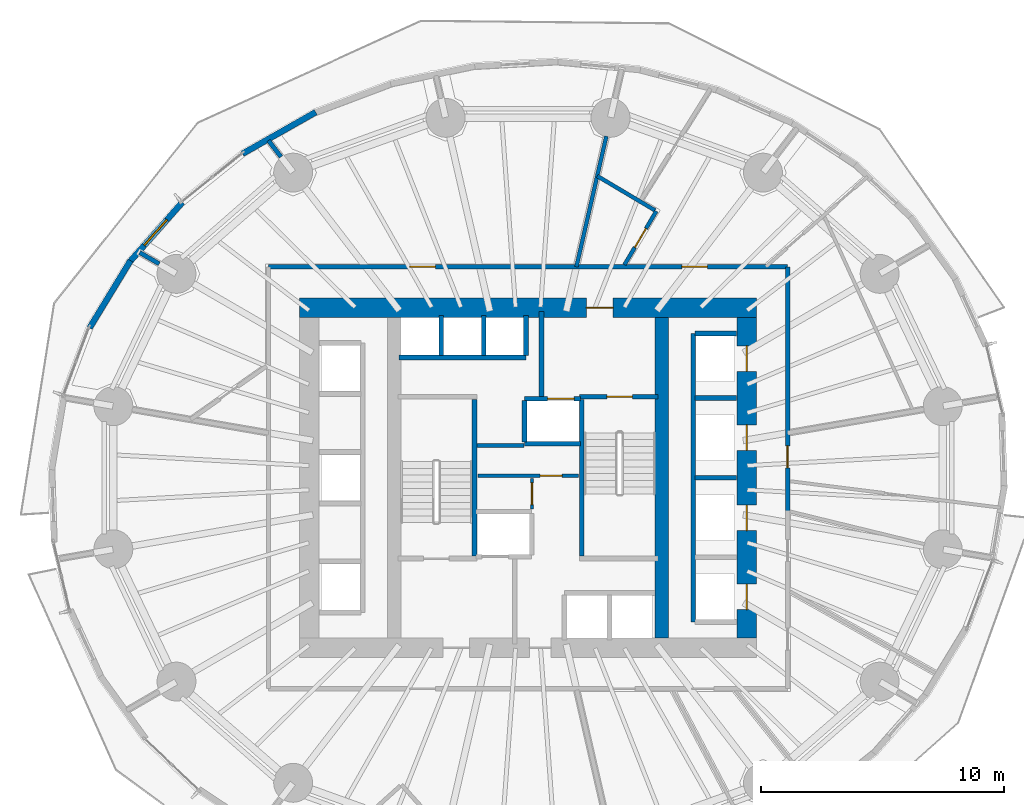
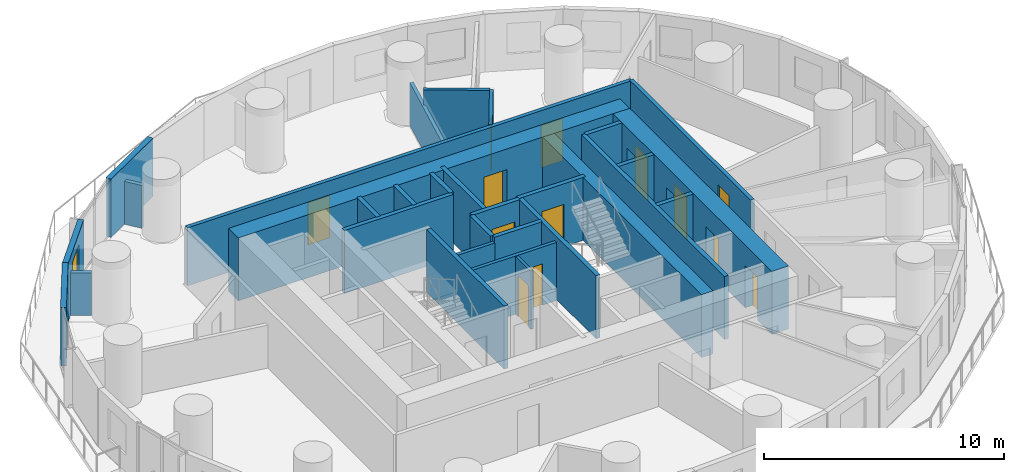
# One storey, part 8 of 14: 31 walls, 13 doors, 1 window, 14 openings.
"""IFC4 building model written with IfcOpenShell, lengths in metres."""

from ifc_helpers import new_model, si_unit, direction, frame, frame_2d, origin, place, context, subcontext, project, spatial, rectangle, extrude, material, layer, layer_set, type_object, element, fill, save


model = new_model("IFC4")

# Units and contexts
model_context = context("Model", 3, precision=1e-05, world=origin(), true_north=direction((0.0, 1.0)))
body_context = subcontext(model_context, "Body", "Model", "MODEL_VIEW")
ifc_project = project(units=[si_unit("LENGTHUNIT", "METRE"), si_unit("AREAUNIT", "SQUARE_METRE"), si_unit("VOLUMEUNIT", "CUBIC_METRE"), si_unit("PLANEANGLEUNIT", "RADIAN"), si_unit("MASSUNIT", "GRAM", prefix="KILO")], contexts=[model_context])

# Site, building, storey
site_placement = place(None, origin())
site = spatial("IfcSite", under=ifc_project, at=site_placement, CompositionType="ELEMENT")
building_placement = place(site_placement, origin())
building = spatial("IfcBuilding", under=site, at=building_placement, Name="Veldorim Arch Residences", CompositionType="ELEMENT")
storey_placement = place(building_placement, frame((0.0, 0.0, 34.39990234375)))
storey = spatial("IfcBuildingStorey", under=building, at=storey_placement, Name="L09", CompositionType="ELEMENT", Elevation=34.39990234375)

# Wall, opening, door
ifc_material_1 = material(Name="Acoustic Gypsum Board", Category="gypsum")
ifc_layer_1 = layer(ifc_material_1, 0.125, Name="Acoustic Stud Room Partition Wall 125")
ifc_layer_set_1 = layer_set([ifc_layer_1], Name="Acoustic Gypsum Board")
wall_type_1 = type_object("IfcWallType", Name="Acoustic Stud Room Partition Wall 125", PredefinedType="PARTITIONING", material=ifc_layer_set_1)
wall_1_placement = place(storey_placement, frame((32.159912109375, 22.719970703125, 0.0), z_axis=(0.0, 0.0, 1.0), x_axis=(0.0, 1.0, 0.0)))
wall_1 = element("IfcWall", 1, at=wall_1_placement, inside=storey, type_object=wall_type_1, Name="L09 interior wall WL-CA-L09-2", PredefinedType="PARTITIONING", context=body_context, shape_type="SweptSolid", body=[
    extrude(rectangle(XDim=1.25, YDim=0.125, at=frame_2d((0.625, 0.0))), origin(), (0.0, 0.0, 1.0), 2.955078125),
])
opening_1_placement = place(wall_1_placement, frame((0.169921875, 0.0, 0.0)))
opening_1 = element("IfcOpeningElement", 2, at=opening_1_placement, cuts=wall_1, Name="Opening DR-SVC", PredefinedType="OPENING", context=body_context, shape_type="SweptSolid", body=[
    extrude(rectangle(XDim=0.89990234375, YDim=2.10009765625, at=frame_2d((0.449951171875, 1.050048828125))), frame((0.0, 0.072509765625, 0.0), z_axis=(0.0, -1.0, 0.0), x_axis=(1.0, 0.0, 0.0)), (0.0, 0.0, 1.0), 0.14501953125),
])
ifc_material_2 = material(Name="Fire-Rated Steel", Category="steel")
door_type_1 = type_object("IfcDoorType", Name="Riser, Shelter & Plant Room Rated Steel Door 900x2100", OperationType="SINGLE_SWING_LEFT", PredefinedType="DOOR", material=ifc_material_2)
door_1_placement = place(opening_1_placement, origin())
door_1 = element("IfcDoor", 3, at=door_1_placement, inside=storey, type_object=door_type_1, Name="L09 interior door DR-L09-CA2", OperationType="SINGLE_SWING_RIGHT", OverallHeight=2.10009765625, OverallWidth=0.89990234375, PredefinedType="DOOR", context=body_context, shape_type="SweptSolid", body=[
    extrude(rectangle(XDim=0.89990234375, YDim=2.10009765625, at=frame_2d((0.449951171875, 1.050048828125))), frame((0.0, 0.02490234375, 0.0), z_axis=(0.0, -1.0, 0.0), x_axis=(1.0, 0.0, 0.0)), (0.0, 0.0, 1.0), 0.050048828125),
])
fill(opening_1, door_1)

# Walls
ifc_material_3 = material(Name="Lightweight Masonry Block & Gypsum", Category="masonry")
ifc_layer_2 = layer(ifc_material_3, 0.179931640625, Name="Compartment & Corridor Fire-Rated Party Wall 180")
ifc_layer_set_2 = layer_set([ifc_layer_2], Name="Lightweight Masonry Block & Gypsum")
wall_type_2 = type_object("IfcWallType", Name="Compartment & Corridor Fire-Rated Party Wall 180", PredefinedType="PARTITIONING", material=ifc_layer_set_2)
wall_2_placement = place(storey_placement, frame((21.832763671875, 37.204833984375, 0.0), z_axis=(0.0, 0.0, 1.0), x_axis=(-0.609822176225, 0.792538272504, 0.0)))
element("IfcWall", 4, at=wall_2_placement, inside=storey, type_object=wall_type_2, Name="L09 interior wall WL-PIER-L09-06", PredefinedType="PARTITIONING", context=body_context, shape_type="SweptSolid", body=[
    extrude(rectangle(XDim=0.84716796875, YDim=0.179931640625, at=frame_2d((0.423583984375, 0.0))), origin(), (0.0, 0.0, 1.0), 2.17822265625),
])
wall_3_placement = place(storey_placement, frame((16.822998046875, 32.80029296875, 0.0), z_axis=(0.0, 0.0, 1.0), x_axis=(-0.864965183009, 0.501831876411, 0.0)))
element("IfcWall", 5, at=wall_3_placement, inside=storey, type_object=wall_type_2, Name="L09 interior wall WL-PIER-L09-07", PredefinedType="PARTITIONING", context=body_context, shape_type="SweptSolid", body=[
    extrude(rectangle(XDim=0.93115234375, YDim=0.179931640625, at=frame_2d((0.465576171875, 0.0))), origin(), (0.0, 0.0, 1.0), 2.17822265625),
])

# Wall, opening, door
wall_4_placement = place(storey_placement, frame((42.679931640625, 32.679931640625, 0.0), z_axis=(0.0, 0.0, 1.0), x_axis=(0.0, -1.0, 0.0)))
wall_4 = element("IfcWall", 6, at=wall_4_placement, inside=storey, type_object=wall_type_2, Name="L09 interior wall WL-RES-L09-001", PredefinedType="PARTITIONING", context=body_context, shape_type="SweptSolid", body=[
    extrude(rectangle(XDim=10.06494140625, YDim=0.179931640625, at=frame_2d((5.032470703125, 0.0))), origin(), (0.0, 0.0, 1.0), 2.955078125),
])
opening_2_placement = place(wall_4_placement, frame((7.3740234375, 0.0, 0.0)))
opening_2 = element("IfcOpeningElement", 7, at=opening_2_placement, cuts=wall_4, Name="Opening DR-SVC", PredefinedType="OPENING", context=body_context, shape_type="SweptSolid", body=[
    extrude(rectangle(XDim=0.89990234375, YDim=2.10009765625, at=frame_2d((0.449951171875, 1.050048828125))), frame((0.0, 0.099853515625, 0.0), z_axis=(0.0, -1.0, 0.0), x_axis=(1.0, 0.0, 0.0)), (0.0, 0.0, 1.0), 0.199951171875),
])
door_2_placement = place(opening_2_placement, origin())
door_2 = element("IfcDoor", 8, at=door_2_placement, inside=storey, type_object=door_type_1, Name="L09 interior door DR-RES-L09-001", OperationType="SINGLE_SWING_LEFT", OverallHeight=2.10009765625, OverallWidth=0.89990234375, PredefinedType="DOOR", context=body_context, shape_type="SweptSolid", body=[
    extrude(rectangle(XDim=0.89990234375, YDim=2.10009765625, at=frame_2d((0.449951171875, 1.050048828125))), frame((0.0, 0.02490234375, 0.0), z_axis=(0.0, -1.0, 0.0), x_axis=(1.0, 0.0, 0.0)), (0.0, 0.0, 1.0), 0.050048828125),
])
fill(opening_2, door_2)

# Wall, openings, doors
wall_5_placement = place(storey_placement, frame((21.320068359375, 32.679931640625, 0.0), z_axis=(0.0, 0.0, 1.0), x_axis=(1.0, 0.0, 0.0)))
wall_5 = element("IfcWall", 9, at=wall_5_placement, inside=storey, type_object=wall_type_2, Name="L09 interior wall WL-RES-L09-004", PredefinedType="PARTITIONING", context=body_context, shape_type="SweptSolid", body=[
    extrude(rectangle(XDim=21.35986328125, YDim=0.179931640625, at=frame_2d((10.679931640625, 0.0))), origin(), (0.0, 0.0, 1.0), 2.955078125),
])
opening_3_placement = place(wall_5_placement, frame((17.013427734375, 0.0, 0.0)))
opening_3 = element("IfcOpeningElement", 10, at=opening_3_placement, cuts=wall_5, Name="Opening DR-FLT", PredefinedType="OPENING", context=body_context, shape_type="SweptSolid", body=[
    extrude(rectangle(XDim=1.050048828125, YDim=2.14990234375, at=frame_2d((0.52490234375, 1.074951171875))), frame((0.0, 0.099853515625, 0.0), z_axis=(0.0, -1.0, 0.0), x_axis=(1.0, 0.0, 0.0)), (0.0, 0.0, 1.0), 0.199951171875),
])
opening_4_placement = place(wall_5_placement, frame((5.820068359375, 0.0, 0.0)))
opening_4 = element("IfcOpeningElement", 11, at=opening_4_placement, cuts=wall_5, Name="Opening DR-FLT", PredefinedType="OPENING", context=body_context, shape_type="SweptSolid", body=[
    extrude(rectangle(XDim=1.050048828125, YDim=2.14990234375, at=frame_2d((0.52490234375, 1.074951171875))), frame((0.0, 0.099853515625, 0.0), z_axis=(0.0, -1.0, 0.0), x_axis=(1.0, 0.0, 0.0)), (0.0, 0.0, 1.0), 0.199951171875),
])
ifc_material_4 = material(Name="Fire-Rated Timber", Category="wood")
door_type_2 = type_object("IfcDoorType", Name="Apartment Entrance Solid-Core Fire Door 1050x2150", OperationType="SINGLE_SWING_LEFT", PredefinedType="DOOR", material=ifc_material_4)
door_3_placement = place(opening_3_placement, origin())
door_3 = element("IfcDoor", 12, at=door_3_placement, inside=storey, type_object=door_type_2, Name="L09 interior door DR-RES-L09-007", OperationType="SINGLE_SWING_LEFT", OverallHeight=2.14990234375, OverallWidth=1.050048828125, PredefinedType="DOOR", context=body_context, shape_type="SweptSolid", body=[
    extrude(rectangle(XDim=1.050048828125, YDim=2.14990234375, at=frame_2d((0.52490234375, 1.074951171875))), frame((0.0, 0.02490234375, 0.0), z_axis=(0.0, -1.0, 0.0), x_axis=(1.0, 0.0, 0.0)), (0.0, 0.0, 1.0), 0.050048828125),
])
fill(opening_3, door_3)
door_4_placement = place(opening_4_placement, origin())
door_4 = element("IfcDoor", 13, at=door_4_placement, inside=storey, type_object=door_type_2, Name="L09 interior door DR-RES-L09-012", OperationType="SINGLE_SWING_RIGHT", OverallHeight=2.14990234375, OverallWidth=1.050048828125, PredefinedType="DOOR", context=body_context, shape_type="SweptSolid", body=[
    extrude(rectangle(XDim=1.050048828125, YDim=2.14990234375, at=frame_2d((0.52490234375, 1.074951171875))), frame((0.0, 0.02490234375, 0.0), z_axis=(0.0, -1.0, 0.0), x_axis=(1.0, 0.0, 0.0)), (0.0, 0.0, 1.0), 0.050048828125),
])
fill(opening_4, door_4)

# Walls
ifc_material_5 = material(Name="Concrete C50/60", Category="concrete")
ifc_layer_3 = layer(ifc_material_5, 0.199951171875, Name="Core Stair & Lift Shaft Enclosure Wall 200")
ifc_layer_set_3 = layer_set([ifc_layer_3], Name="Concrete C50/60")
wall_type_3 = type_object("IfcWallType", Name="Core Stair & Lift Shaft Enclosure Wall 200", PredefinedType="SHEAR", material=ifc_layer_set_3)
for number, where, z_axis, x_axis, name in (
    (14, (29.7900390625, 20.780029296875, 0.0), (0.0, 0.0, 1.0), (0.0, 1.0, 0.0), "L09 shaft wall WL-SHF-L09-ST1-E"),
    (15, (34.2099609375, 20.780029296875, 0.0), (0.0, 0.0, 1.0), (0.0, 1.0, 0.0), "L09 shaft wall WL-SHF-L09-ST2-W"),
):
    element("IfcWall", number, at=place(storey_placement, frame(where, z_axis=z_axis, x_axis=x_axis)), inside=storey, type_object=wall_type_3, Name=name, PredefinedType="SHEAR", context=body_context, shape_type="SweptSolid", body=[
        extrude(rectangle(XDim=6.43994140625, YDim=0.199951171875, at=frame_2d((3.219970703125, 0.0))), origin(), (0.0, 0.0, 1.0), 3.2001953125),
    ])

# Wall, opening, door
wall_6_placement = place(storey_placement, frame((34.110107421875, 27.330078125, 0.0), z_axis=(0.0, 0.0, 1.0), x_axis=(1.0, 0.0, 0.0)))
wall_6 = element("IfcWall", 16, at=wall_6_placement, inside=storey, type_object=wall_type_3, Name="L09 shaft wall WL-SHF-L09-ST2-N", PredefinedType="SHEAR", context=body_context, shape_type="SweptSolid", body=[
    extrude(rectangle(XDim=3.239990234375, YDim=0.199951171875, at=frame_2d((1.6201171875, 0.0))), origin(), (0.0, 0.0, 1.0), 3.2001953125),
])
opening_5_placement = place(wall_6_placement, frame((1.135009765625, 0.0, 0.0)))
opening_5 = element("IfcOpeningElement", 17, at=opening_5_placement, cuts=wall_6, Name="Opening DR-ST", PredefinedType="OPENING", context=body_context, shape_type="SweptSolid", body=[
    extrude(rectangle(XDim=1.050048828125, YDim=2.14990234375, at=frame_2d((0.52490234375, 1.074951171875))), frame((0.0, 0.10986328125, 0.0), z_axis=(0.0, -1.0, 0.0), x_axis=(1.0, 0.0, 0.0)), (0.0, 0.0, 1.0), 0.219970703125),
])
ifc_material_6 = material(Name="Fire-Rated Steel", Category="steel")
door_type_3 = type_object("IfcDoorType", Name="Exit Staircase Self-Closing Fire Door 1050x2150", OperationType="SINGLE_SWING_LEFT", PredefinedType="DOOR", material=ifc_material_6)
door_5_placement = place(opening_5_placement, origin())
door_5 = element("IfcDoor", 18, at=door_5_placement, inside=storey, type_object=door_type_3, Name="L09 interior door DR-L09-ST2", OperationType="SINGLE_SWING_RIGHT", OverallHeight=2.14990234375, OverallWidth=1.050048828125, PredefinedType="DOOR", context=body_context, shape_type="SweptSolid", body=[
    extrude(rectangle(XDim=1.050048828125, YDim=2.14990234375, at=frame_2d((0.52490234375, 1.074951171875))), frame((0.0, 0.02490234375, 0.0), z_axis=(0.0, -1.0, 0.0), x_axis=(1.0, 0.0, 0.0)), (0.0, 0.0, 1.0), 0.050048828125),
])
fill(opening_5, door_5)

# Wall
wall_7_placement = place(storey_placement, frame((32.550048828125, 27.35009765625, 0.0), z_axis=(0.0, 0.0, 1.0), x_axis=(0.0, 1.0, 0.0)))
element("IfcWall", 19, at=wall_7_placement, inside=storey, type_object=wall_type_3, Name="L09 shaft wall WL-FFL2-L09-W", PredefinedType="SHEAR", context=body_context, shape_type="SweptSolid", body=[
    extrude(rectangle(XDim=3.5, YDim=0.199951171875, at=frame_2d((1.75, 0.0))), origin(), (0.0, 0.0, 1.0), 3.2001953125),
])

# Wall, opening, door
wall_8_placement = place(storey_placement, frame((31.85009765625, 27.25, 0.0), z_axis=(0.0, 0.0, 1.0), x_axis=(1.0, 0.0, 0.0)))
wall_8 = element("IfcWall", 20, at=wall_8_placement, inside=storey, type_object=wall_type_3, Name="L09 shaft wall WL-FL02-L09-N", PredefinedType="SHEAR", context=body_context, shape_type="SweptSolid", body=[
    extrude(rectangle(XDim=2.2998046875, YDim=0.199951171875, at=frame_2d((1.14990234375, 0.0))), origin(), (0.0, 0.0, 1.0), 3.2001953125),
])
opening_6_placement = place(wall_8_placement, frame((0.949951171875, 0.0, 0.0)))
opening_6 = element("IfcOpeningElement", 21, at=opening_6_placement, cuts=wall_8, Name="Opening LD-FF", PredefinedType="OPENING", context=body_context, shape_type="SweptSolid", body=[
    extrude(rectangle(XDim=1.10009765625, YDim=2.14990234375, at=frame_2d((0.550048828125, 1.074951171875))), frame((0.0, 0.10986328125, 0.0), z_axis=(0.0, -1.0, 0.0), x_axis=(1.0, 0.0, 0.0)), (0.0, 0.0, 1.0), 0.219970703125),
])
ifc_material_7 = material(Name="Stainless Steel", Category="steel")
door_type_4 = type_object("IfcDoorType", Name="Firefighting Lift Bi-Parting Sliding Landing Door 1100x2150", OperationType="DOUBLE_DOOR_SLIDING", PredefinedType="DOOR", material=ifc_material_7)
door_6_placement = place(opening_6_placement, origin())
door_6 = element("IfcDoor", 22, at=door_6_placement, inside=storey, type_object=door_type_4, Name="L09 lift landing door LD-L09-FL02", OperationType="DOUBLE_DOOR_SLIDING", OverallHeight=2.14990234375, OverallWidth=1.10009765625, PredefinedType="DOOR", context=body_context, shape_type="SweptSolid", body=[
    extrude(rectangle(XDim=1.10009765625, YDim=2.14990234375, at=frame_2d((0.550048828125, 1.074951171875))), frame((0.0, 0.02490234375, 0.0), z_axis=(0.0, -1.0, 0.0), x_axis=(1.0, 0.0, 0.0)), (0.0, 0.0, 1.0), 0.050048828125),
])
fill(opening_6, door_6)

# Walls
wall_9_placement = place(storey_placement, frame((31.85009765625, 25.39990234375, 0.0), z_axis=(0.0, 0.0, 1.0), x_axis=(1.0, 0.0, 0.0)))
element("IfcWall", 23, at=wall_9_placement, inside=storey, type_object=wall_type_3, Name="L09 shaft wall WL-FL02-L09-S", PredefinedType="SHEAR", context=body_context, shape_type="SweptSolid", body=[
    extrude(rectangle(XDim=2.2998046875, YDim=0.199951171875, at=frame_2d((1.14990234375, 0.0))), origin(), (0.0, 0.0, 1.0), 3.2001953125),
])
wall_10_placement = place(storey_placement, frame((31.85009765625, 25.469970703125, 0.0), z_axis=(0.0, 0.0, 1.0), x_axis=(0.0, 1.0, 0.0)))
element("IfcWall", 24, at=wall_10_placement, inside=storey, type_object=wall_type_3, Name="L09 shaft wall WL-FL02-L09-W", PredefinedType="SHEAR", context=body_context, shape_type="SweptSolid", body=[
    extrude(rectangle(XDim=1.7099609375, YDim=0.199951171875, at=frame_2d((0.85498046875, 0.0))), origin(), (0.0, 0.0, 1.0), 3.2001953125),
])
wall_11_placement = place(storey_placement, frame((38.800048828125, 18.06005859375, 0.0), z_axis=(0.0, 0.0, 1.0), x_axis=(0.0, 1.0, 0.0)))
element("IfcWall", 25, at=wall_11_placement, inside=storey, type_object=wall_type_3, Name="L09 shaft wall WL-B1-L09-W", PredefinedType="SHEAR", context=body_context, shape_type="SweptSolid", body=[
    extrude(rectangle(XDim=11.8798828125, YDim=0.199951171875, at=frame_2d((5.93994140625, 0.0))), origin(), (0.0, 0.0, 1.0), 3.2001953125),
])
for number, where, z_axis, x_axis, name in (
    (26, (38.8701171875, 29.93994140625, 0.0), (0.0, 0.0, 1.0), (1.0, 0.0, 0.0), "L09 shaft wall WL-B1-L09-N"),
    (27, (38.8701171875, 24.0, 0.0), (0.0, 0.0, 1.0), (1.0, 0.0, 0.0), "L09 shaft wall WL-B1-L09-D2"),
    (28, (38.8701171875, 27.27490234375, 0.0), (0.0, 0.0, 1.0), (1.0, 0.0, 0.0), "L09 shaft wall WL-B1-L09-D3"),
):
    element("IfcWall", number, at=place(storey_placement, frame(where, z_axis=z_axis, x_axis=x_axis)), inside=storey, type_object=wall_type_3, Name=name, PredefinedType="SHEAR", context=body_context, shape_type="SweptSolid", body=[
        extrude(rectangle(XDim=1.7099609375, YDim=0.199951171875, at=frame_2d((0.85498046875, 0.0))), origin(), (0.0, 0.0, 1.0), 3.2001953125),
    ])
wall_12_placement = place(storey_placement, frame((26.679931640625, 28.949951171875, 0.0), z_axis=(0.0, 0.0, 1.0), x_axis=(1.0, 0.0, 0.0)))
element("IfcWall", 29, at=wall_12_placement, inside=storey, type_object=wall_type_3, Name="L09 shaft wall WL-B3-L09-S", PredefinedType="SHEAR", context=body_context, shape_type="SweptSolid", body=[
    extrude(rectangle(XDim=5.239990234375, YDim=0.199951171875, at=frame_2d((2.6201171875, 0.0))), origin(), (0.0, 0.0, 1.0), 3.2001953125),
])
for number, where, z_axis, x_axis, name in (
    (30, (31.919921875, 29.02001953125, 0.0), (0.0, 0.0, 1.0), (0.0, 1.0, 0.0), "L09 shaft wall WL-B3-L09-E"),
    (31, (28.425048828125, 29.02001953125, 0.0), (0.0, 0.0, 1.0), (0.0, 1.0, 0.0), "L09 shaft wall WL-B3-L09-D1"),
    (32, (30.175048828125, 29.02001953125, 0.0), (0.0, 0.0, 1.0), (0.0, 1.0, 0.0), "L09 shaft wall WL-B3-L09-D2"),
):
    element("IfcWall", number, at=place(storey_placement, frame(where, z_axis=z_axis, x_axis=x_axis)), inside=storey, type_object=wall_type_3, Name=name, PredefinedType="SHEAR", context=body_context, shape_type="SweptSolid", body=[
        extrude(rectangle(XDim=1.659912109375, YDim=0.199951171875, at=frame_2d((0.830078125, 0.0))), origin(), (0.0, 0.0, 1.0), 3.2001953125),
    ])
ifc_material_8 = material(Name="Concrete C60/75", Category="concrete")
ifc_layer_4 = layer(ifc_material_8, 0.56005859375, Name="Internal Core Shear Web Wall 560")
ifc_layer_set_4 = layer_set([ifc_layer_4], Name="Concrete C60/75")
wall_type_4 = type_object("IfcWallType", Name="Internal Core Shear Web Wall 560", PredefinedType="SHEAR", material=ifc_layer_set_4)
wall_13_placement = place(storey_placement, frame((37.5, 17.39990234375, 0.0), z_axis=(0.0, 0.0, 1.0), x_axis=(0.0, 1.0, 0.0)))
element("IfcWall", 33, at=wall_13_placement, inside=storey, type_object=wall_type_4, Name="L09 core east internal shear web", PredefinedType="SHEAR", context=body_context, shape_type="SweptSolid", body=[
    extrude(rectangle(XDim=13.2001953125, YDim=0.56005859375, at=frame_2d((6.60009765625, 0.0))), origin(), (0.0, 0.0, 1.0), 3.2001953125),
])

# Wall, opening, door
ifc_material_9 = material(Name="Concrete C60/75", Category="concrete")
ifc_layer_5 = layer(ifc_material_9, 0.800048828125, Name="Lower Central Core Shear Wall 800")
ifc_layer_set_5 = layer_set([ifc_layer_5], Name="Concrete C60/75")
wall_type_5 = type_object("IfcWallType", Name="Lower Central Core Shear Wall 800", PredefinedType="SHEAR", material=ifc_layer_set_5)
wall_14_placement = place(storey_placement, frame((22.60009765625, 31.0, 0.0), z_axis=(0.0, 0.0, 1.0), x_axis=(1.0, 0.0, 0.0)))
wall_14 = element("IfcWall", 34, at=wall_14_placement, inside=storey, type_object=wall_type_5, Name="L09 central core north shear wall", PredefinedType="SHEAR", context=body_context, shape_type="SweptSolid", body=[
    extrude(rectangle(XDim=18.7998046875, YDim=0.800048828125, at=frame_2d((9.39990234375, 0.0))), origin(), (0.0, 0.0, 1.0), 3.2001953125),
])
opening_7_placement = place(wall_14_placement, frame((11.800048828125, 0.0, 0.0)))
opening_7 = element("IfcOpeningElement", 35, at=opening_7_placement, cuts=wall_14, Name="Opening DR-FFL", PredefinedType="OPENING", context=body_context, shape_type="SweptSolid", body=[
    extrude(rectangle(XDim=1.10009765625, YDim=2.14990234375, at=frame_2d((0.550048828125, 1.074951171875))), frame((0.0, 0.409912109375, 0.0), z_axis=(0.0, -1.0, 0.0), x_axis=(1.0, 0.0, 0.0)), (0.0, 0.0, 1.0), 0.820068359375),
])
ifc_material_10 = material(Name="Fire-Rated Steel & Vision Glass", Category="steel")
door_type_5 = type_object("IfcDoorType", Name="Firefighting Lobby Smoke-Stop Fire Door 1100x2150", OperationType="SINGLE_SWING_LEFT", PredefinedType="DOOR", material=ifc_material_10)
door_7_placement = place(opening_7_placement, origin())
door_7 = element("IfcDoor", 36, at=door_7_placement, inside=storey, type_object=door_type_5, Name="L09 interior door DR-L09-FFL2", OperationType="SINGLE_SWING_LEFT", OverallHeight=2.14990234375, OverallWidth=1.10009765625, PredefinedType="DOOR", context=body_context, shape_type="SweptSolid", body=[
    extrude(rectangle(XDim=1.10009765625, YDim=2.14990234375, at=frame_2d((0.550048828125, 1.074951171875))), frame((0.0, 0.02490234375, 0.0), z_axis=(0.0, -1.0, 0.0), x_axis=(1.0, 0.0, 0.0)), (0.0, 0.0, 1.0), 0.050048828125),
])
fill(opening_7, door_7)

# Wall, openings, doors
wall_15_placement = place(storey_placement, frame((41.0, 17.39990234375, 0.0), z_axis=(0.0, 0.0, 1.0), x_axis=(0.0, 1.0, 0.0)))
wall_15 = element("IfcWall", 37, at=wall_15_placement, inside=storey, type_object=wall_type_5, Name="L09 central core east shear wall", PredefinedType="SHEAR", context=body_context, shape_type="SweptSolid", body=[
    extrude(rectangle(XDim=13.2001953125, YDim=0.800048828125, at=frame_2d((6.60009765625, 0.0))), origin(), (0.0, 0.0, 1.0), 3.2001953125),
])
opening_8_placement = place(wall_15_placement, frame((1.175048828125, 0.0, 0.0)))
opening_8 = element("IfcOpeningElement", 38, at=opening_8_placement, cuts=wall_15, Name="Opening LD-PS", PredefinedType="OPENING", context=body_context, shape_type="SweptSolid", body=[
    extrude(rectangle(XDim=1.050048828125, YDim=2.14990234375, at=frame_2d((0.52490234375, 1.074951171875))), frame((0.0, 0.409912109375, 0.0), z_axis=(0.0, -1.0, 0.0), x_axis=(1.0, 0.0, 0.0)), (0.0, 0.0, 1.0), 0.820068359375),
])
opening_9_placement = place(wall_15_placement, frame((4.425048828125, 0.0, 0.0)))
opening_9 = element("IfcOpeningElement", 39, at=opening_9_placement, cuts=wall_15, Name="Opening LD-PS", PredefinedType="OPENING", context=body_context, shape_type="SweptSolid", body=[
    extrude(rectangle(XDim=1.050048828125, YDim=2.14990234375, at=frame_2d((0.52490234375, 1.074951171875))), frame((0.0, 0.409912109375, 0.0), z_axis=(0.0, -1.0, 0.0), x_axis=(1.0, 0.0, 0.0)), (0.0, 0.0, 1.0), 0.820068359375),
])
opening_10_placement = place(wall_15_placement, frame((7.72509765625, 0.0, 0.0)))
opening_10 = element("IfcOpeningElement", 40, at=opening_10_placement, cuts=wall_15, Name="Opening LD-PS", PredefinedType="OPENING", context=body_context, shape_type="SweptSolid", body=[
    extrude(rectangle(XDim=1.050048828125, YDim=2.14990234375, at=frame_2d((0.52490234375, 1.074951171875))), frame((0.0, 0.409912109375, 0.0), z_axis=(0.0, -1.0, 0.0), x_axis=(1.0, 0.0, 0.0)), (0.0, 0.0, 1.0), 0.820068359375),
])
opening_11_placement = place(wall_15_placement, frame((10.97509765625, 0.0, 0.0)))
opening_11 = element("IfcOpeningElement", 41, at=opening_11_placement, cuts=wall_15, Name="Opening LD-PS", PredefinedType="OPENING", context=body_context, shape_type="SweptSolid", body=[
    extrude(rectangle(XDim=1.050048828125, YDim=2.14990234375, at=frame_2d((0.52490234375, 1.074951171875))), frame((0.0, 0.409912109375, 0.0), z_axis=(0.0, -1.0, 0.0), x_axis=(1.0, 0.0, 0.0)), (0.0, 0.0, 1.0), 0.820068359375),
])
ifc_material_11 = material(Name="Stainless Steel", Category="steel")
door_type_6 = type_object("IfcDoorType", Name="Passenger Lift Bi-Parting Sliding Landing Door 1050x2150", OperationType="DOUBLE_DOOR_SLIDING", PredefinedType="DOOR", material=ifc_material_11)
door_8_placement = place(opening_8_placement, origin())
door_8 = element("IfcDoor", 42, at=door_8_placement, inside=storey, type_object=door_type_6, Name="L09 lift landing door LD-L09-PL-01", OperationType="DOUBLE_DOOR_SLIDING", OverallHeight=2.14990234375, OverallWidth=1.050048828125, PredefinedType="DOOR", context=body_context, shape_type="SweptSolid", body=[
    extrude(rectangle(XDim=1.050048828125, YDim=2.14990234375, at=frame_2d((0.52490234375, 1.074951171875))), frame((0.0, 0.02490234375, 0.0), z_axis=(0.0, -1.0, 0.0), x_axis=(1.0, 0.0, 0.0)), (0.0, 0.0, 1.0), 0.050048828125),
])
fill(opening_8, door_8)
door_9_placement = place(opening_9_placement, origin())
door_9 = element("IfcDoor", 43, at=door_9_placement, inside=storey, type_object=door_type_6, Name="L09 lift landing door LD-L09-PL-02", OperationType="DOUBLE_DOOR_SLIDING", OverallHeight=2.14990234375, OverallWidth=1.050048828125, PredefinedType="DOOR", context=body_context, shape_type="SweptSolid", body=[
    extrude(rectangle(XDim=1.050048828125, YDim=2.14990234375, at=frame_2d((0.52490234375, 1.074951171875))), frame((0.0, 0.02490234375, 0.0), z_axis=(0.0, -1.0, 0.0), x_axis=(1.0, 0.0, 0.0)), (0.0, 0.0, 1.0), 0.050048828125),
])
fill(opening_9, door_9)
door_10_placement = place(opening_10_placement, origin())
door_10 = element("IfcDoor", 44, at=door_10_placement, inside=storey, type_object=door_type_6, Name="L09 lift landing door LD-L09-PL-03", OperationType="DOUBLE_DOOR_SLIDING", OverallHeight=2.14990234375, OverallWidth=1.050048828125, PredefinedType="DOOR", context=body_context, shape_type="SweptSolid", body=[
    extrude(rectangle(XDim=1.050048828125, YDim=2.14990234375, at=frame_2d((0.52490234375, 1.074951171875))), frame((0.0, 0.02490234375, 0.0), z_axis=(0.0, -1.0, 0.0), x_axis=(1.0, 0.0, 0.0)), (0.0, 0.0, 1.0), 0.050048828125),
])
fill(opening_10, door_10)
door_11_placement = place(opening_11_placement, origin())
door_11 = element("IfcDoor", 45, at=door_11_placement, inside=storey, type_object=door_type_6, Name="L09 lift landing door LD-L09-PL-04", OperationType="DOUBLE_DOOR_SLIDING", OverallHeight=2.14990234375, OverallWidth=1.050048828125, PredefinedType="DOOR", context=body_context, shape_type="SweptSolid", body=[
    extrude(rectangle(XDim=1.050048828125, YDim=2.14990234375, at=frame_2d((0.52490234375, 1.074951171875))), frame((0.0, 0.02490234375, 0.0), z_axis=(0.0, -1.0, 0.0), x_axis=(1.0, 0.0, 0.0)), (0.0, 0.0, 1.0), 0.050048828125),
])
fill(opening_11, door_11)

# Wall
ifc_material_12 = material(Name="Precast concrete C40/50", Category="concrete")
ifc_layer_6 = layer(ifc_material_12, 0.25, Name="Tower Terracotta Spandrel & Pier Wall 250")
ifc_layer_set_6 = layer_set([ifc_layer_6], Name="Precast concrete C40/50")
wall_type_6 = type_object("IfcWallType", Name="Tower Terracotta Spandrel & Pier Wall 250", PredefinedType="SOLIDWALL", material=ifc_layer_set_6)
wall_16_placement = place(storey_placement, frame((20.248779296875, 37.332763671875, 0.0), z_axis=(0.0, 0.0, 1.0), x_axis=(0.869389832426, 0.494126825091, 0.0)))
element("IfcWall", 46, at=wall_16_placement, inside=storey, type_object=wall_type_6, Name="L09 terracotta facade wall 12", PredefinedType="SOLIDWALL", context=body_context, shape_type="SweptSolid", body=[
    extrude(rectangle(XDim=3.465087890625, YDim=0.25, at=frame_2d((1.732421875, 0.0))), origin(), (0.0, 0.0, 1.0), 2.960205078125),
])

# Wall, opening, window
wall_17_placement = place(storey_placement, frame((15.573486328125, 32.847900390625, 0.0), z_axis=(0.0, 0.0, 1.0), x_axis=(0.662112398544, 0.749404544751, 0.0)))
wall_17 = element("IfcWall", 47, at=wall_17_placement, inside=storey, type_object=wall_type_6, Name="L09 terracotta facade wall 14", PredefinedType="SOLIDWALL", context=body_context, shape_type="SweptSolid", body=[
    extrude(rectangle(XDim=3.322509765625, YDim=0.25, at=frame_2d((1.6611328125, 0.0))), origin(), (0.0, 0.0, 1.0), 2.960205078125),
])
opening_12_placement = place(wall_17_placement, frame((0.9609375, 0.0, 0.85009765625)))
opening_12 = element("IfcOpeningElement", 48, at=opening_12_placement, cuts=wall_17, Name="Opening WN-02", PredefinedType="OPENING", context=body_context, shape_type="SweptSolid", body=[
    extrude(rectangle(XDim=1.39990234375, YDim=1.550048828125, at=frame_2d((0.699951171875, 0.77490234375))), frame((0.0, 0.135009765625, 0.0), z_axis=(0.0, -1.0, 0.0), x_axis=(1.0, 0.0, 0.0)), (0.0, 0.0, 1.0), 0.27001953125),
])
ifc_material_13 = material(Name="Laminated Low-E Glass", Category="glass")
window_type = type_object("IfcWindowType", Name="Residential Casement Window 1400x1550", PartitioningType="SINGLE_PANEL", PredefinedType="WINDOW", material=ifc_material_13)
window_placement = place(opening_12_placement, origin())
window = element("IfcWindow", 49, at=window_placement, inside=storey, type_object=window_type, Name="L09 solar-control facade window 14", OverallHeight=1.550048828125, OverallWidth=1.39990234375, PartitioningType="SINGLE_PANEL", PredefinedType="WINDOW", context=body_context, shape_type="SweptSolid", body=[
    extrude(rectangle(XDim=1.39990234375, YDim=1.550048828125, at=frame_2d((0.699951171875, 0.77490234375))), frame((0.0, 0.030029296875, 0.0), z_axis=(0.0, -1.0, 0.0), x_axis=(1.0, 0.0, 0.0)), (0.0, 0.0, 1.0), 0.06005859375),
])
fill(opening_12, window)

# Wall
wall_18_placement = place(storey_placement, frame((13.95361328125, 30.166015625, 0.0), z_axis=(0.0, 0.0, 1.0), x_axis=(0.519753566346, 0.854316235519, 0.0)))
element("IfcWall", 50, at=wall_18_placement, inside=storey, type_object=wall_type_6, Name="L09 terracotta facade wall 15", PredefinedType="SOLIDWALL", context=body_context, shape_type="SweptSolid", body=[
    extrude(rectangle(XDim=3.244384765625, YDim=0.25, at=frame_2d((1.6220703125, 0.0))), origin(), (0.0, 0.0, 1.0), 2.960205078125),
])

# Wall, opening, door
ifc_material_14 = material(Name="Moisture-Resistant Gypsum & Stud", Category="gypsum")
ifc_layer_7 = layer(ifc_material_14, 0.159912109375, Name="Wet-Area Moisture-Resistant Plumbing Wall 160")
ifc_layer_set_7 = layer_set([ifc_layer_7], Name="Moisture-Resistant Gypsum & Stud")
wall_type_7 = type_object("IfcWallType", Name="Wet-Area Moisture-Resistant Plumbing Wall 160", PredefinedType="PLUMBINGWALL", material=ifc_layer_set_7)
wall_19_placement = place(storey_placement, frame((29.949951171875, 24.080078125, 0.0), z_axis=(0.0, 0.0, 1.0), x_axis=(1.0, 0.0, 0.0)))
wall_19 = element("IfcWall", 51, at=wall_19_placement, inside=storey, type_object=wall_type_7, Name="L09 interior wall WL-CA-L09-1", PredefinedType="PLUMBINGWALL", context=body_context, shape_type="SweptSolid", body=[
    extrude(rectangle(XDim=4.130126953125, YDim=0.159912109375, at=frame_2d((2.06494140625, 0.0))), origin(), (0.0, 0.0, 1.0), 2.955078125),
])
opening_13_placement = place(wall_19_placement, frame((2.550048828125, 0.0, 0.0)))
opening_13 = element("IfcOpeningElement", 52, at=opening_13_placement, cuts=wall_19, Name="Opening DR-WC", PredefinedType="OPENING", context=body_context, shape_type="SweptSolid", body=[
    extrude(rectangle(XDim=0.89990234375, YDim=2.10009765625, at=frame_2d((0.449951171875, 1.050048828125))), frame((0.0, 0.08984375, 0.0), z_axis=(0.0, -1.0, 0.0), x_axis=(1.0, 0.0, 0.0)), (0.0, 0.0, 1.0), 0.179931640625),
])
ifc_material_15 = material(Name="Laminate Timber", Category="wood")
door_type_7 = type_object("IfcDoorType", Name="Bathroom & Accessible WC Moisture-Sealed Door 900x2100", OperationType="SINGLE_SWING_LEFT", PredefinedType="DOOR", material=ifc_material_15)
door_12_placement = place(opening_13_placement, origin())
door_12 = element("IfcDoor", 53, at=door_12_placement, inside=storey, type_object=door_type_7, Name="L09 interior door DR-L09-CA1", OperationType="SINGLE_SWING_LEFT", OverallHeight=2.10009765625, OverallWidth=0.89990234375, PredefinedType="DOOR", context=body_context, shape_type="SweptSolid", body=[
    extrude(rectangle(XDim=0.89990234375, YDim=2.10009765625, at=frame_2d((0.449951171875, 1.050048828125))), frame((0.0, 0.02490234375, 0.0), z_axis=(0.0, -1.0, 0.0), x_axis=(1.0, 0.0, 0.0)), (0.0, 0.0, 1.0), 0.050048828125),
])
fill(opening_13, door_12)

# Wall
wall_20_placement = place(storey_placement, frame((29.889892578125, 25.330078125, 0.0), z_axis=(0.0, 0.0, 1.0), x_axis=(1.0, 0.0, 0.0)))
element("IfcWall", 54, at=wall_20_placement, inside=storey, type_object=wall_type_7, Name="L09 interior wall WL-CA-L09-N", PredefinedType="PLUMBINGWALL", context=body_context, shape_type="SweptSolid", body=[
    extrude(rectangle(XDim=1.940185546875, YDim=0.159912109375, at=frame_2d((0.97021484375, 0.0))), origin(), (0.0, 0.0, 1.0), 2.955078125),
])

# Wall, opening, door
wall_21_placement = place(storey_placement, frame((35.96875, 32.76611328125, 0.0), z_axis=(0.0, 0.0, 1.0), x_axis=(0.51079395194, 0.859703168926, 0.0)))
wall_21 = element("IfcWall", 55, at=wall_21_placement, inside=storey, type_object=wall_type_7, Name="L09 interior wall WL-RES-L09-015", PredefinedType="PLUMBINGWALL", context=body_context, shape_type="SweptSolid", body=[
    extrude(rectangle(XDim=2.563720703125, YDim=0.159912109375, at=frame_2d((1.28173828125, 0.0))), origin(), (0.0, 0.0, 1.0), 2.955078125),
])
opening_14_placement = place(wall_21_placement, frame((0.831787109375, 0.0, 0.0)))
opening_14 = element("IfcOpeningElement", 56, at=opening_14_placement, cuts=wall_21, Name="Opening DR-INT", PredefinedType="OPENING", context=body_context, shape_type="SweptSolid", body=[
    extrude(rectangle(XDim=0.89990234375, YDim=2.10009765625, at=frame_2d((0.449951171875, 1.050048828125))), frame((0.0, 0.08984375, 0.0), z_axis=(0.0, -1.0, 0.0), x_axis=(1.0, 0.0, 0.0)), (0.0, 0.0, 1.0), 0.179931640625),
])
ifc_material_16 = material(Name="Engineered Timber", Category="wood")
door_type_8 = type_object("IfcDoorType", Name="Apartment Internal Room Timber Door 900x2100", OperationType="SINGLE_SWING_LEFT", PredefinedType="DOOR", material=ifc_material_16)
door_13_placement = place(opening_14_placement, origin())
door_13 = element("IfcDoor", 57, at=door_13_placement, inside=storey, type_object=door_type_8, Name="L09 interior door DR-RES-L09-011", OperationType="SINGLE_SWING_LEFT", OverallHeight=2.10009765625, OverallWidth=0.89990234375, PredefinedType="DOOR", context=body_context, shape_type="SweptSolid", body=[
    extrude(rectangle(XDim=0.89990234375, YDim=2.10009765625, at=frame_2d((0.449951171875, 1.050048828125))), frame((0.0, 0.02490234375, 0.0), z_axis=(0.0, -1.0, 0.0), x_axis=(1.0, 0.0, 0.0)), (0.0, 0.0, 1.0), 0.050048828125),
])
fill(opening_14, door_13)

# Walls
wall_22_placement = place(storey_placement, frame((37.226806640625, 35.000732421875, 0.0), z_axis=(0.0, 0.0, 1.0), x_axis=(-0.859670870998, 0.510848307776, 0.0)))
element("IfcWall", 58, at=wall_22_placement, inside=storey, type_object=wall_type_7, Name="L09 interior wall WL-RES-L09-016", PredefinedType="PLUMBINGWALL", context=body_context, shape_type="SweptSolid", body=[
    extrude(rectangle(XDim=2.76953125, YDim=0.159912109375, at=frame_2d((1.384765625, 0.0))), origin(), (0.0, 0.0, 1.0), 2.955078125),
])
wall_23_placement = place(storey_placement, frame((33.989501953125, 32.679931640625, 0.0), z_axis=(0.0, 0.0, 1.0), x_axis=(0.223435779217, 0.974718653031, 0.0)))
element("IfcWall", 59, at=wall_23_placement, inside=storey, type_object=wall_type_7, Name="L09 interior wall WL-RES-L09-017", PredefinedType="PLUMBINGWALL", context=body_context, shape_type="SweptSolid", body=[
    extrude(rectangle(XDim=5.511474609375, YDim=0.159912109375, at=frame_2d((2.755859375, 0.0))), origin(), (0.0, 0.0, 1.0), 2.17822265625),
])

save(model, "model.ifc")
